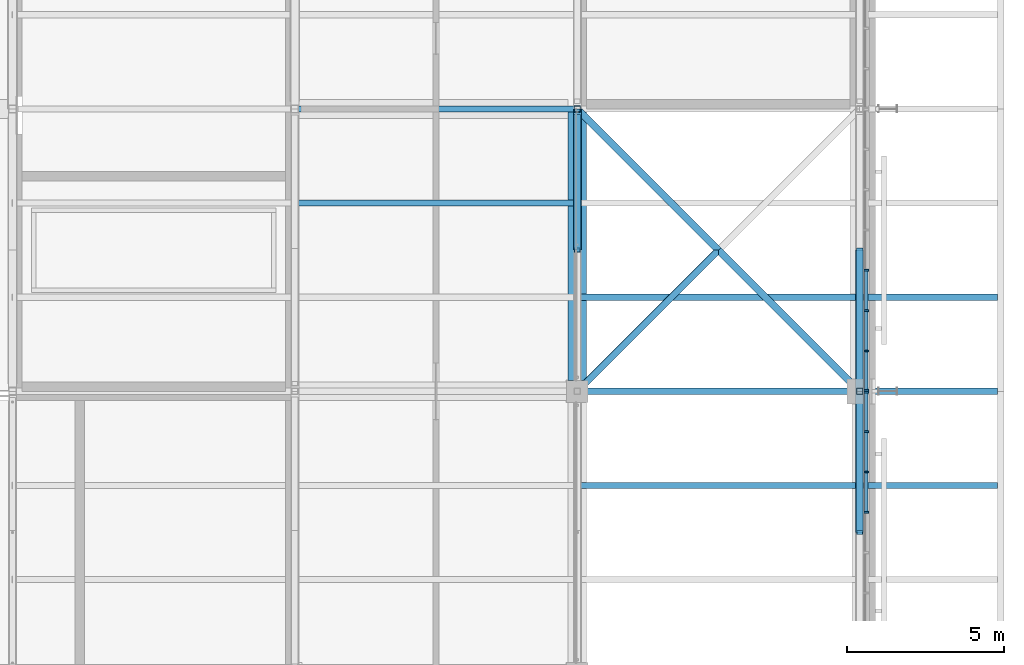
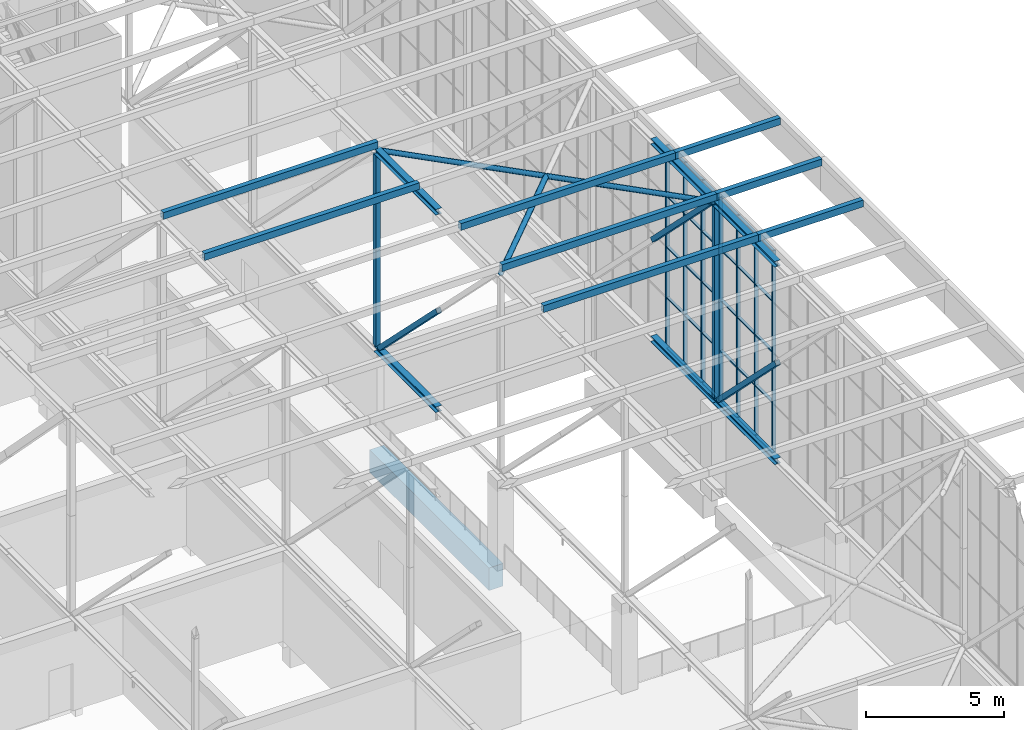
# One storey, part 92 of 646: 62 members, 1 beam, 2 elements without a shape of their own.
"""IFC4 building model written with IfcOpenShell, lengths in metres."""

from ifc_helpers import new_model, si_unit, direction, frame, origin, origin_2d, place, context, subcontext, project, spatial, rectangle, hollow_rectangle, hollow_circle, i_section, extrude, material, material_profile, profile_set, type_object, element, aggregate, save


model = new_model("IFC4")

# Units and contexts
model_context = context("Model", 3, precision=1e-05, world=origin(), true_north=direction((0.0, 1.0)))
body_context = subcontext(model_context, "Body", "Model", "MODEL_VIEW")
ifc_project = project(units=[si_unit("LENGTHUNIT", "METRE"), si_unit("AREAUNIT", "SQUARE_METRE"), si_unit("VOLUMEUNIT", "CUBIC_METRE"), si_unit("PLANEANGLEUNIT", "RADIAN"), si_unit("MASSUNIT", "GRAM", prefix="KILO")], contexts=[model_context])

# Site, building, storey
site_placement = place(None, origin())
site = spatial("IfcSite", under=ifc_project, at=site_placement, CompositionType="ELEMENT")
building_placement = place(site_placement, origin())
building = spatial("IfcBuilding", under=site, at=building_placement, Name="Silverbay Arena", CompositionType="ELEMENT")
storey_placement = place(building_placement, frame((0.0, 0.0, 33.5)))
storey = spatial("IfcBuildingStorey", under=building, at=storey_placement, Name="L05", CompositionType="ELEMENT", Elevation=33.5)

# Curtain wall, members
ifc_material_1 = material(Name="Aluminium framed glazing", Category="aluminium")
curtain_wall_type = type_object("IfcCurtainWallType", Name="Curtain wall clerestory 9000 x 9000", PredefinedType="NOTDEFINED", material=ifc_material_1)
curtain_wall_1_placement = place(storey_placement, origin())
curtain_wall_1 = element("IfcCurtainWall", 1, at=curtain_wall_1_placement, inside=storey, type_object=curtain_wall_type, Name="ROOF GABLE CLERESTORY CURTAIN WALL east bay 04", PredefinedType="NOTDEFINED")
ifc_material_2 = material(Name="Aluminium", Category="aluminium")
ifc_material_profile_1 = material_profile(ifc_material_2, rectangle(XDim=0.159912109375, YDim=0.06005859375, at=origin_2d()), Name="Mullion 60 x 160")
ifc_profile_set_1 = profile_set([ifc_material_profile_1], Name="Aluminium")
member_type_1 = type_object("IfcMemberType", Name="Mullion 60 x 160", PredefinedType="MULLION", material=ifc_profile_set_1)
member_1_placement = place(storey_placement, frame((207.2099609375, 41.142822265625, 4.0), z_axis=(0.0, 0.0, 1.0), x_axis=(-1.0, 0.0, 0.0)))
member_1 = element("IfcMember", 2, at=member_1_placement, type_object=member_type_1, Name="CW60 mullion 5", PredefinedType="MULLION", context=body_context, shape_type="SweptSolid", body=[
    extrude(rectangle(XDim=0.159912109375, YDim=0.06005859375, at=origin_2d()), origin(), (0.0, 0.0, 1.0), 9.0),
])
member_2_placement = place(storey_placement, frame((207.2099609375, 42.428466796875, 4.0), z_axis=(0.0, 0.0, 1.0), x_axis=(-1.0, 0.0, 0.0)))
member_2 = element("IfcMember", 3, at=member_2_placement, type_object=member_type_1, Name="CW60 mullion 6", PredefinedType="MULLION", context=body_context, shape_type="SweptSolid", body=[
    extrude(rectangle(XDim=0.159912109375, YDim=0.06005859375, at=origin_2d()), origin(), (0.0, 0.0, 1.0), 9.0),
])
member_3_placement = place(storey_placement, frame((207.2099609375, 43.71435546875, 4.0), z_axis=(0.0, 0.0, 1.0), x_axis=(-1.0, 0.0, 0.0)))
member_3 = element("IfcMember", 4, at=member_3_placement, type_object=member_type_1, Name="CW60 mullion 7", PredefinedType="MULLION", context=body_context, shape_type="SweptSolid", body=[
    extrude(rectangle(XDim=0.159912109375, YDim=0.06005859375, at=origin_2d()), origin(), (0.0, 0.0, 1.0), 9.0),
])
member_4_placement = place(storey_placement, frame((207.2099609375, 44.969970703125, 4.0), z_axis=(0.0, 0.0, 1.0), x_axis=(-1.0, 0.0, 0.0)))
member_4 = element("IfcMember", 5, at=member_4_placement, type_object=member_type_1, Name="CW60 mullion 8", PredefinedType="MULLION", context=body_context, shape_type="SweptSolid", body=[
    extrude(rectangle(XDim=0.159912109375, YDim=0.06005859375, at=origin_2d()), origin(), (0.0, 0.0, 1.0), 9.0),
])

curtain_wall_2_placement = place(storey_placement, origin())
curtain_wall_2 = element("IfcCurtainWall", 6, at=curtain_wall_2_placement, inside=storey, type_object=curtain_wall_type, Name="ROOF GABLE CLERESTORY CURTAIN WALL east bay 05", PredefinedType="NOTDEFINED")
member_5_placement = place(storey_placement, frame((207.2099609375, 45.030029296875, 4.0), z_axis=(0.0, 0.0, 1.0), x_axis=(-1.0, 0.0, 0.0)))
member_5 = element("IfcMember", 7, at=member_5_placement, type_object=member_type_1, Name="CW60 mullion 1", PredefinedType="MULLION", context=body_context, shape_type="SweptSolid", body=[
    extrude(rectangle(XDim=0.159912109375, YDim=0.06005859375, at=origin_2d()), origin(), (0.0, 0.0, 1.0), 9.0),
])
member_6_placement = place(storey_placement, frame((207.2099609375, 46.28564453125, 4.0), z_axis=(0.0, 0.0, 1.0), x_axis=(-1.0, 0.0, 0.0)))
member_6 = element("IfcMember", 8, at=member_6_placement, type_object=member_type_1, Name="CW60 mullion 2", PredefinedType="MULLION", context=body_context, shape_type="SweptSolid", body=[
    extrude(rectangle(XDim=0.159912109375, YDim=0.06005859375, at=origin_2d()), origin(), (0.0, 0.0, 1.0), 9.0),
])
member_7_placement = place(storey_placement, frame((207.2099609375, 47.571533203125, 4.0), z_axis=(0.0, 0.0, 1.0), x_axis=(-1.0, 0.0, 0.0)))
member_7 = element("IfcMember", 9, at=member_7_placement, type_object=member_type_1, Name="CW60 mullion 3", PredefinedType="MULLION", context=body_context, shape_type="SweptSolid", body=[
    extrude(rectangle(XDim=0.159912109375, YDim=0.06005859375, at=origin_2d()), origin(), (0.0, 0.0, 1.0), 9.0),
])
member_8_placement = place(storey_placement, frame((207.2099609375, 48.857177734375, 4.0), z_axis=(0.0, 0.0, 1.0), x_axis=(-1.0, 0.0, 0.0)))
member_8 = element("IfcMember", 10, at=member_8_placement, type_object=member_type_1, Name="CW60 mullion 4", PredefinedType="MULLION", context=body_context, shape_type="SweptSolid", body=[
    extrude(rectangle(XDim=0.159912109375, YDim=0.06005859375, at=origin_2d()), origin(), (0.0, 0.0, 1.0), 9.0),
])

# Members
ifc_material_3 = material(Name="Steel S355", Category="steel")
ifc_material_profile_2 = material_profile(ifc_material_3, hollow_circle(Radius=0.109619140625, WallThickness=0.00634765625, at=origin_2d()), Name="CHS 219.1x6.3")
ifc_profile_set_2 = profile_set([ifc_material_profile_2], Name="Steel S355")
member_type_2 = type_object("IfcMemberType", Name="Plan bracing CHS 219.1x6.3", PredefinedType="BRACE", material=ifc_profile_set_2)
for number, where, z_axis, x_axis, name in (
    (11, (198.0, 45.0, 12.873046875), (0.707106781187, 0.707106781187, 0.0), (-0.707106781187, 0.707106781187, 0.0), "ROOF BRACING top 23-24 panel 05 Aa"),
    (12, (198.0, 54.0, 12.873046875), (0.707106781187, -0.707106781187, 0.0), (0.707106781187, 0.707106781187, 0.0), "ROOF BRACING top 23-24 panel 05 Ba"),
    (13, (202.5, 49.5, 12.873046875), (0.707106781187, -0.707106781187, 0.0), (0.707106781187, 0.707106781187, 0.0), "ROOF BRACING top 23-24 panel 05 Bb"),
):
    element("IfcMember", number, at=place(storey_placement, frame(where, z_axis=z_axis, x_axis=x_axis)), inside=storey, type_object=member_type_2, Name=name, PredefinedType="BRACE", context=body_context, shape_type="SweptSolid", body=[
        extrude(hollow_circle(Radius=0.109619140625, WallThickness=0.00634765625, at=origin_2d()), origin(), (0.0, 0.0, 1.0), 6.364013671875),
    ])
ifc_material_4 = material(Name="Steel S355", Category="steel")
ifc_material_profile_3 = material_profile(ifc_material_4, hollow_rectangle(XDim=0.199951171875, YDim=0.300048828125, WallThickness=0.00634765625, at=origin_2d()), Name="RHS 300x200x6.3")
ifc_profile_set_3 = profile_set([ifc_material_profile_3], Name="Steel S355")
member_type_3 = type_object("IfcMemberType", Name="Purlin RHS 300x200x6.3", PredefinedType="PURLIN", material=ifc_profile_set_3)
for number, where, z_axis, x_axis, name in (
    (14, (189.0, 51.0, 13.14990234375), (1.0, 0.0, 0.0), (0.0, 1.0, 0.0), "ROOF PURLIN 22-23 line 15"),
    (15, (189.0, 54.0, 13.14990234375), (1.0, 0.0, 0.0), (0.0, 1.0, 0.0), "ROOF PURLIN 22-23 line 16"),
):
    element("IfcMember", number, at=place(storey_placement, frame(where, z_axis=z_axis, x_axis=x_axis)), inside=storey, type_object=member_type_3, Name=name, PredefinedType="PURLIN", context=body_context, shape_type="SweptSolid", body=[
        extrude(hollow_rectangle(XDim=0.199951171875, YDim=0.300048828125, WallThickness=0.00634765625, at=origin_2d()), origin(), (0.0, 0.0, 1.0), 9.0),
    ])
ifc_material_5 = material(Name="Steel S355", Category="steel")
ifc_material_profile_4 = material_profile(ifc_material_5, hollow_rectangle(XDim=0.199951171875, YDim=0.300048828125, WallThickness=0.008056640625, at=origin_2d()), Name="RHS 300x200x8")
ifc_profile_set_4 = profile_set([ifc_material_profile_4], Name="Steel S355")
member_type_4 = type_object("IfcMemberType", Name="Purlin RHS 300x200x8", PredefinedType="PURLIN", material=ifc_profile_set_4)
for number, where, z_axis, x_axis, name in (
    (16, (198.0, 42.0, 13.14990234375), (1.0, 0.0, 0.0), (0.0, 1.0, 0.0), "ROOF PURLIN 23-24 line 12"),
    (17, (198.0, 45.0, 13.14990234375), (1.0, 0.0, 0.0), (0.0, 1.0, 0.0), "ROOF PURLIN 23-24 line 13"),
    (18, (198.0, 48.0, 13.14990234375), (1.0, 0.0, 0.0), (0.0, 1.0, 0.0), "ROOF PURLIN 23-24 line 14"),
):
    element("IfcMember", number, at=place(storey_placement, frame(where, z_axis=z_axis, x_axis=x_axis)), inside=storey, type_object=member_type_4, Name=name, PredefinedType="PURLIN", context=body_context, shape_type="SweptSolid", body=[
        extrude(hollow_rectangle(XDim=0.199951171875, YDim=0.300048828125, WallThickness=0.008056640625, at=origin_2d()), origin(), (0.0, 0.0, 1.0), 9.0),
    ])
for number, where, z_axis, x_axis, name in (
    (19, (211.39990234375, 42.0, 13.14990234375), (-1.0, 0.0, 0.0), (0.0, -1.0, 0.0), "ROOF PURLIN east eave line 12"),
    (20, (211.39990234375, 45.0, 13.14990234375), (-1.0, 0.0, 0.0), (0.0, -1.0, 0.0), "ROOF PURLIN east eave line 13"),
    (21, (211.39990234375, 48.0, 13.14990234375), (-1.0, 0.0, 0.0), (0.0, -1.0, 0.0), "ROOF PURLIN east eave line 14"),
):
    element("IfcMember", number, at=place(storey_placement, frame(where, z_axis=z_axis, x_axis=x_axis)), inside=storey, type_object=member_type_4, Name=name, PredefinedType="PURLIN", context=body_context, shape_type="SweptSolid", body=[
        extrude(hollow_rectangle(XDim=0.199951171875, YDim=0.300048828125, WallThickness=0.008056640625, at=origin_2d()), origin(), (0.0, 0.0, 1.0), 4.39990234375),
    ])

# Beam
ifc_material_6 = material(Name="Concrete Grade C45", Category="concrete")
ifc_material_profile_5 = material_profile(ifc_material_6, rectangle(XDim=0.60009765625, YDim=1.0, at=origin_2d()), Name="RC 600x1000")
ifc_profile_set_5 = profile_set([ifc_material_profile_5], Name="Concrete Grade C45")
beam_type = type_object("IfcBeamType", Name="RC beam 600x1000", PredefinedType="BEAM", material=ifc_profile_set_5)
beam_placement = place(storey_placement, frame((198.0, 45.35009765625, -0.800048828125), z_axis=(0.0, 1.0, 0.0), x_axis=(-1.0, 0.0, 0.0)))
element("IfcBeam", 22, at=beam_placement, inside=storey, type_object=beam_type, Name="Floor beam L05 141", PredefinedType="BEAM", context=body_context, shape_type="SweptSolid", body=[
    extrude(rectangle(XDim=0.60009765625, YDim=1.0, at=origin_2d()), origin(), (0.0, 0.0, 1.0), 8.64990234375),
])

# Members
ifc_material_7 = material(Name="Steel S355", Category="steel")
ifc_material_profile_6 = material_profile(ifc_material_7, i_section(OverallWidth=0.254638671875, OverallDepth=0.254150390625, WebThickness=0.008544921875, FlangeThickness=0.01416015625, at=origin_2d()), Name="UC 254x254x73")
ifc_profile_set_6 = profile_set([ifc_material_profile_6], Name="Steel S355")
member_type_5 = type_object("IfcMemberType", Name="Short-span bottom chord UC 254x254x73", PredefinedType="CHORD", material=ifc_profile_set_6)
for number, where, z_axis, x_axis, name in (
    (23, (198.0, 49.5, 4.126953125), (0.0, 1.0, 0.0), (-1.0, 0.0, 0.0), "ROOF TRUSS 23 bottom chord 05b"),
    (24, (207.0, 40.5, 4.126953125), (0.0, 1.0, 0.0), (-1.0, 0.0, 0.0), "ROOF TRUSS 24 bottom chord 04b"),
    (25, (207.0, 45.0, 4.126953125), (0.0, 1.0, 0.0), (-1.0, 0.0, 0.0), "ROOF TRUSS 24 bottom chord 05a"),
):
    element("IfcMember", number, at=place(storey_placement, frame(where, z_axis=z_axis, x_axis=x_axis)), inside=storey, type_object=member_type_5, Name=name, PredefinedType="CHORD", context=body_context, shape_type="SweptSolid", body=[
        extrude(i_section(OverallWidth=0.254638671875, OverallDepth=0.254150390625, WebThickness=0.008544921875, FlangeThickness=0.01416015625, at=origin_2d()), origin(), (0.0, 0.0, 1.0), 4.5),
    ])
ifc_material_8 = material(Name="Steel S355", Category="steel")
ifc_material_profile_7 = material_profile(ifc_material_8, i_section(OverallWidth=0.254638671875, OverallDepth=0.254150390625, WebThickness=0.008544921875, FlangeThickness=0.01416015625, at=origin_2d()), Name="UC 254x254x73")
ifc_profile_set_7 = profile_set([ifc_material_profile_7], Name="Steel S355")
member_type_6 = type_object("IfcMemberType", Name="Short-span top chord UC 254x254x73", PredefinedType="CHORD", material=ifc_profile_set_7)
for number, where, z_axis, x_axis, name in (
    (26, (198.0, 49.5, 12.873046875), (0.0, 1.0, 0.0), (-1.0, 0.0, 0.0), "ROOF TRUSS 23 top chord 05b"),
    (27, (207.0, 40.5, 12.873046875), (0.0, 1.0, 0.0), (-1.0, 0.0, 0.0), "ROOF TRUSS 24 top chord 04b"),
    (28, (207.0, 45.0, 12.873046875), (0.0, 1.0, 0.0), (-1.0, 0.0, 0.0), "ROOF TRUSS 24 top chord 05a"),
):
    element("IfcMember", number, at=place(storey_placement, frame(where, z_axis=z_axis, x_axis=x_axis)), inside=storey, type_object=member_type_6, Name=name, PredefinedType="CHORD", context=body_context, shape_type="SweptSolid", body=[
        extrude(i_section(OverallWidth=0.254638671875, OverallDepth=0.254150390625, WebThickness=0.008544921875, FlangeThickness=0.01416015625, at=origin_2d()), origin(), (0.0, 0.0, 1.0), 4.5),
    ])
ifc_material_9 = material(Name="Steel S355", Category="steel")
ifc_material_profile_8 = material_profile(ifc_material_9, hollow_rectangle(XDim=0.199951171875, YDim=0.199951171875, WallThickness=0.008056640625, at=origin_2d()), Name="SHS 200x200x8")
ifc_profile_set_8 = profile_set([ifc_material_profile_8], Name="Steel S355")
member_type_7 = type_object("IfcMemberType", Name="Short-span truss diagonal SHS 200x200x8", PredefinedType="BRACE", material=ifc_profile_set_8)
for number, where, z_axis, x_axis, name in (
    (29, (198.0, 49.5, 8.5), (0.0, 0.70781724692, -0.706395600894), (-1.0, 0.0, 0.0), "ROOF TRUSS 23 diagonal 05b"),
    (30, (207.0, 40.5, 8.5), (0.0, 0.70781724692, -0.706395600894), (-1.0, 0.0, 0.0), "ROOF TRUSS 24 diagonal 04b"),
    (31, (207.0, 45.24560546875, 12.745849609375), (0.0, 0.70781724692, -0.706395600894), (-1.0, 0.0, 0.0), "ROOF TRUSS 24 diagonal 05a"),
):
    element("IfcMember", number, at=place(storey_placement, frame(where, z_axis=z_axis, x_axis=x_axis)), inside=storey, type_object=member_type_7, Name=name, PredefinedType="BRACE", context=body_context, shape_type="SweptSolid", body=[
        extrude(hollow_rectangle(XDim=0.199951171875, YDim=0.199951171875, WallThickness=0.008056640625, at=origin_2d()), origin(), (0.0, 0.0, 1.0), 6.010498046875),
    ])
ifc_material_10 = material(Name="Steel S355", Category="steel")
ifc_material_profile_9 = material_profile(ifc_material_10, hollow_rectangle(XDim=0.199951171875, YDim=0.199951171875, WallThickness=0.008056640625, at=origin_2d()), Name="SHS 200x200x8")
ifc_profile_set_9 = profile_set([ifc_material_profile_9], Name="Steel S355")
member_type_8 = type_object("IfcMemberType", Name="Short-span truss vertical SHS 200x200x8", PredefinedType="STRUT", material=ifc_profile_set_9)
for number, where, z_axis, x_axis, name in (
    (32, (198.0, 54.0, 4.254150390625), (0.0, 0.0, 1.0), (1.0, 0.0, 0.0), "ROOF TRUSS 23 vertical 06a"),
    (33, (198.0, 54.0, 8.5), (0.0, 0.0, 1.0), (1.0, 0.0, 0.0), "ROOF TRUSS 23 vertical 06b"),
    (34, (207.0, 45.0, 4.254150390625), (0.0, 0.0, 1.0), (1.0, 0.0, 0.0), "ROOF TRUSS 24 vertical 05a"),
    (35, (207.0, 45.0, 8.5), (0.0, 0.0, 1.0), (1.0, 0.0, 0.0), "ROOF TRUSS 24 vertical 05b"),
):
    element("IfcMember", number, at=place(storey_placement, frame(where, z_axis=z_axis, x_axis=x_axis)), inside=storey, type_object=member_type_8, Name=name, PredefinedType="STRUT", context=body_context, shape_type="SweptSolid", body=[
        extrude(hollow_rectangle(XDim=0.199951171875, YDim=0.199951171875, WallThickness=0.008056640625, at=origin_2d()), origin(), (0.0, 0.0, 1.0), 4.245849609375),
    ])

# Member
ifc_material_11 = material(Name="Aluminium", Category="aluminium")
ifc_material_profile_10 = material_profile(ifc_material_11, rectangle(XDim=0.1201171875, YDim=0.050048828125, at=origin_2d()), Name="Transom 50 x 120")
ifc_profile_set_10 = profile_set([ifc_material_profile_10], Name="Aluminium")
member_type_9 = type_object("IfcMemberType", Name="Transom 50 x 120", PredefinedType="USERDEFINED", material=ifc_profile_set_10)
member_9_placement = place(storey_placement, frame((207.2099609375, 41.1728515625, 4.02490234375), z_axis=(0.0, 1.0, 0.0), x_axis=(-1.0, 0.0, 0.0)))
member_9 = element("IfcMember", 36, at=member_9_placement, type_object=member_type_9, Name="CW60 transom 5.1", ObjectType="TRANSOM", PredefinedType="USERDEFINED", context=body_context, shape_type="SweptSolid", body=[
    extrude(rectangle(XDim=0.1201171875, YDim=0.050048828125, at=origin_2d()), origin(), (0.0, 0.0, 1.0), 1.225830078125),
])

member_10_placement = place(storey_placement, frame((207.2099609375, 41.1728515625, 6.25), z_axis=(0.0, 1.0, 0.0), x_axis=(-1.0, 0.0, 0.0)))
member_10 = element("IfcMember", 37, at=member_10_placement, type_object=member_type_9, Name="CW60 transom 5.2", ObjectType="TRANSOM", PredefinedType="USERDEFINED", context=body_context, shape_type="SweptSolid", body=[
    extrude(rectangle(XDim=0.1201171875, YDim=0.050048828125, at=origin_2d()), origin(), (0.0, 0.0, 1.0), 1.225830078125),
])

member_11_placement = place(storey_placement, frame((207.2099609375, 41.1728515625, 8.5), z_axis=(0.0, 1.0, 0.0), x_axis=(-1.0, 0.0, 0.0)))
member_11 = element("IfcMember", 38, at=member_11_placement, type_object=member_type_9, Name="CW60 transom 5.3", ObjectType="TRANSOM", PredefinedType="USERDEFINED", context=body_context, shape_type="SweptSolid", body=[
    extrude(rectangle(XDim=0.1201171875, YDim=0.050048828125, at=origin_2d()), origin(), (0.0, 0.0, 1.0), 1.225830078125),
])

member_12_placement = place(storey_placement, frame((207.2099609375, 41.1728515625, 10.75), z_axis=(0.0, 1.0, 0.0), x_axis=(-1.0, 0.0, 0.0)))
member_12 = element("IfcMember", 39, at=member_12_placement, type_object=member_type_9, Name="CW60 transom 5.4", ObjectType="TRANSOM", PredefinedType="USERDEFINED", context=body_context, shape_type="SweptSolid", body=[
    extrude(rectangle(XDim=0.1201171875, YDim=0.050048828125, at=origin_2d()), origin(), (0.0, 0.0, 1.0), 1.225830078125),
])

member_13_placement = place(storey_placement, frame((207.2099609375, 41.1728515625, 12.97509765625), z_axis=(0.0, 1.0, 0.0), x_axis=(-1.0, 0.0, 0.0)))
member_13 = element("IfcMember", 40, at=member_13_placement, type_object=member_type_9, Name="CW60 transom 5.5", ObjectType="TRANSOM", PredefinedType="USERDEFINED", context=body_context, shape_type="SweptSolid", body=[
    extrude(rectangle(XDim=0.1201171875, YDim=0.050048828125, at=origin_2d()), origin(), (0.0, 0.0, 1.0), 1.225830078125),
])

member_14_placement = place(storey_placement, frame((207.2099609375, 42.45849609375, 4.02490234375), z_axis=(0.0, 1.0, 0.0), x_axis=(-1.0, 0.0, 0.0)))
member_14 = element("IfcMember", 41, at=member_14_placement, type_object=member_type_9, Name="CW60 transom 6.1", ObjectType="TRANSOM", PredefinedType="USERDEFINED", context=body_context, shape_type="SweptSolid", body=[
    extrude(rectangle(XDim=0.1201171875, YDim=0.050048828125, at=origin_2d()), origin(), (0.0, 0.0, 1.0), 1.225830078125),
])

member_15_placement = place(storey_placement, frame((207.2099609375, 42.45849609375, 6.25), z_axis=(0.0, 1.0, 0.0), x_axis=(-1.0, 0.0, 0.0)))
member_15 = element("IfcMember", 42, at=member_15_placement, type_object=member_type_9, Name="CW60 transom 6.2", ObjectType="TRANSOM", PredefinedType="USERDEFINED", context=body_context, shape_type="SweptSolid", body=[
    extrude(rectangle(XDim=0.1201171875, YDim=0.050048828125, at=origin_2d()), origin(), (0.0, 0.0, 1.0), 1.225830078125),
])

member_16_placement = place(storey_placement, frame((207.2099609375, 42.45849609375, 8.5), z_axis=(0.0, 1.0, 0.0), x_axis=(-1.0, 0.0, 0.0)))
member_16 = element("IfcMember", 43, at=member_16_placement, type_object=member_type_9, Name="CW60 transom 6.3", ObjectType="TRANSOM", PredefinedType="USERDEFINED", context=body_context, shape_type="SweptSolid", body=[
    extrude(rectangle(XDim=0.1201171875, YDim=0.050048828125, at=origin_2d()), origin(), (0.0, 0.0, 1.0), 1.225830078125),
])

member_17_placement = place(storey_placement, frame((207.2099609375, 42.45849609375, 10.75), z_axis=(0.0, 1.0, 0.0), x_axis=(-1.0, 0.0, 0.0)))
member_17 = element("IfcMember", 44, at=member_17_placement, type_object=member_type_9, Name="CW60 transom 6.4", ObjectType="TRANSOM", PredefinedType="USERDEFINED", context=body_context, shape_type="SweptSolid", body=[
    extrude(rectangle(XDim=0.1201171875, YDim=0.050048828125, at=origin_2d()), origin(), (0.0, 0.0, 1.0), 1.225830078125),
])

member_18_placement = place(storey_placement, frame((207.2099609375, 42.45849609375, 12.97509765625), z_axis=(0.0, 1.0, 0.0), x_axis=(-1.0, 0.0, 0.0)))
member_18 = element("IfcMember", 45, at=member_18_placement, type_object=member_type_9, Name="CW60 transom 6.5", ObjectType="TRANSOM", PredefinedType="USERDEFINED", context=body_context, shape_type="SweptSolid", body=[
    extrude(rectangle(XDim=0.1201171875, YDim=0.050048828125, at=origin_2d()), origin(), (0.0, 0.0, 1.0), 1.225830078125),
])

member_19_placement = place(storey_placement, frame((207.2099609375, 43.744384765625, 4.02490234375), z_axis=(0.0, 1.0, 0.0), x_axis=(-1.0, 0.0, 0.0)))
member_19 = element("IfcMember", 46, at=member_19_placement, type_object=member_type_9, Name="CW60 transom 7.1", ObjectType="TRANSOM", PredefinedType="USERDEFINED", context=body_context, shape_type="SweptSolid", body=[
    extrude(rectangle(XDim=0.1201171875, YDim=0.050048828125, at=origin_2d()), origin(), (0.0, 0.0, 1.0), 1.195556640625),
])

member_20_placement = place(storey_placement, frame((207.2099609375, 43.744384765625, 6.25), z_axis=(0.0, 1.0, 0.0), x_axis=(-1.0, 0.0, 0.0)))
member_20 = element("IfcMember", 47, at=member_20_placement, type_object=member_type_9, Name="CW60 transom 7.2", ObjectType="TRANSOM", PredefinedType="USERDEFINED", context=body_context, shape_type="SweptSolid", body=[
    extrude(rectangle(XDim=0.1201171875, YDim=0.050048828125, at=origin_2d()), origin(), (0.0, 0.0, 1.0), 1.195556640625),
])

member_21_placement = place(storey_placement, frame((207.2099609375, 43.744384765625, 8.5), z_axis=(0.0, 1.0, 0.0), x_axis=(-1.0, 0.0, 0.0)))
member_21 = element("IfcMember", 48, at=member_21_placement, type_object=member_type_9, Name="CW60 transom 7.3", ObjectType="TRANSOM", PredefinedType="USERDEFINED", context=body_context, shape_type="SweptSolid", body=[
    extrude(rectangle(XDim=0.1201171875, YDim=0.050048828125, at=origin_2d()), origin(), (0.0, 0.0, 1.0), 1.195556640625),
])

member_22_placement = place(storey_placement, frame((207.2099609375, 43.744384765625, 10.75), z_axis=(0.0, 1.0, 0.0), x_axis=(-1.0, 0.0, 0.0)))
member_22 = element("IfcMember", 49, at=member_22_placement, type_object=member_type_9, Name="CW60 transom 7.4", ObjectType="TRANSOM", PredefinedType="USERDEFINED", context=body_context, shape_type="SweptSolid", body=[
    extrude(rectangle(XDim=0.1201171875, YDim=0.050048828125, at=origin_2d()), origin(), (0.0, 0.0, 1.0), 1.195556640625),
])

member_23_placement = place(storey_placement, frame((207.2099609375, 43.744384765625, 12.97509765625), z_axis=(0.0, 1.0, 0.0), x_axis=(-1.0, 0.0, 0.0)))
member_23 = element("IfcMember", 50, at=member_23_placement, type_object=member_type_9, Name="CW60 transom 7.5", ObjectType="TRANSOM", PredefinedType="USERDEFINED", context=body_context, shape_type="SweptSolid", body=[
    extrude(rectangle(XDim=0.1201171875, YDim=0.050048828125, at=origin_2d()), origin(), (0.0, 0.0, 1.0), 1.195556640625),
])

aggregate(curtain_wall_1, [member_1, member_2, member_3, member_4, member_9, member_10, member_11, member_12, member_13, member_14, member_15, member_16, member_17, member_18, member_19, member_20, member_21, member_22, member_23])

member_24_placement = place(storey_placement, frame((207.2099609375, 45.06005859375, 4.02490234375), z_axis=(0.0, 1.0, 0.0), x_axis=(-1.0, 0.0, 0.0)))
member_24 = element("IfcMember", 51, at=member_24_placement, type_object=member_type_9, Name="CW60 transom 1.1", ObjectType="TRANSOM", PredefinedType="USERDEFINED", context=body_context, shape_type="SweptSolid", body=[
    extrude(rectangle(XDim=0.1201171875, YDim=0.050048828125, at=origin_2d()), origin(), (0.0, 0.0, 1.0), 1.195556640625),
])

member_25_placement = place(storey_placement, frame((207.2099609375, 45.06005859375, 6.25), z_axis=(0.0, 1.0, 0.0), x_axis=(-1.0, 0.0, 0.0)))
member_25 = element("IfcMember", 52, at=member_25_placement, type_object=member_type_9, Name="CW60 transom 1.2", ObjectType="TRANSOM", PredefinedType="USERDEFINED", context=body_context, shape_type="SweptSolid", body=[
    extrude(rectangle(XDim=0.1201171875, YDim=0.050048828125, at=origin_2d()), origin(), (0.0, 0.0, 1.0), 1.195556640625),
])

member_26_placement = place(storey_placement, frame((207.2099609375, 45.06005859375, 8.5), z_axis=(0.0, 1.0, 0.0), x_axis=(-1.0, 0.0, 0.0)))
member_26 = element("IfcMember", 53, at=member_26_placement, type_object=member_type_9, Name="CW60 transom 1.3", ObjectType="TRANSOM", PredefinedType="USERDEFINED", context=body_context, shape_type="SweptSolid", body=[
    extrude(rectangle(XDim=0.1201171875, YDim=0.050048828125, at=origin_2d()), origin(), (0.0, 0.0, 1.0), 1.195556640625),
])

member_27_placement = place(storey_placement, frame((207.2099609375, 45.06005859375, 10.75), z_axis=(0.0, 1.0, 0.0), x_axis=(-1.0, 0.0, 0.0)))
member_27 = element("IfcMember", 54, at=member_27_placement, type_object=member_type_9, Name="CW60 transom 1.4", ObjectType="TRANSOM", PredefinedType="USERDEFINED", context=body_context, shape_type="SweptSolid", body=[
    extrude(rectangle(XDim=0.1201171875, YDim=0.050048828125, at=origin_2d()), origin(), (0.0, 0.0, 1.0), 1.195556640625),
])

member_28_placement = place(storey_placement, frame((207.2099609375, 45.06005859375, 12.97509765625), z_axis=(0.0, 1.0, 0.0), x_axis=(-1.0, 0.0, 0.0)))
member_28 = element("IfcMember", 55, at=member_28_placement, type_object=member_type_9, Name="CW60 transom 1.5", ObjectType="TRANSOM", PredefinedType="USERDEFINED", context=body_context, shape_type="SweptSolid", body=[
    extrude(rectangle(XDim=0.1201171875, YDim=0.050048828125, at=origin_2d()), origin(), (0.0, 0.0, 1.0), 1.195556640625),
])

member_29_placement = place(storey_placement, frame((207.2099609375, 46.315673828125, 4.02490234375), z_axis=(0.0, 1.0, 0.0), x_axis=(-1.0, 0.0, 0.0)))
member_29 = element("IfcMember", 56, at=member_29_placement, type_object=member_type_9, Name="CW60 transom 2.1", ObjectType="TRANSOM", PredefinedType="USERDEFINED", context=body_context, shape_type="SweptSolid", body=[
    extrude(rectangle(XDim=0.1201171875, YDim=0.050048828125, at=origin_2d()), origin(), (0.0, 0.0, 1.0), 1.225830078125),
])

member_30_placement = place(storey_placement, frame((207.2099609375, 46.315673828125, 6.25), z_axis=(0.0, 1.0, 0.0), x_axis=(-1.0, 0.0, 0.0)))
member_30 = element("IfcMember", 57, at=member_30_placement, type_object=member_type_9, Name="CW60 transom 2.2", ObjectType="TRANSOM", PredefinedType="USERDEFINED", context=body_context, shape_type="SweptSolid", body=[
    extrude(rectangle(XDim=0.1201171875, YDim=0.050048828125, at=origin_2d()), origin(), (0.0, 0.0, 1.0), 1.225830078125),
])

member_31_placement = place(storey_placement, frame((207.2099609375, 46.315673828125, 8.5), z_axis=(0.0, 1.0, 0.0), x_axis=(-1.0, 0.0, 0.0)))
member_31 = element("IfcMember", 58, at=member_31_placement, type_object=member_type_9, Name="CW60 transom 2.3", ObjectType="TRANSOM", PredefinedType="USERDEFINED", context=body_context, shape_type="SweptSolid", body=[
    extrude(rectangle(XDim=0.1201171875, YDim=0.050048828125, at=origin_2d()), origin(), (0.0, 0.0, 1.0), 1.225830078125),
])

member_32_placement = place(storey_placement, frame((207.2099609375, 46.315673828125, 10.75), z_axis=(0.0, 1.0, 0.0), x_axis=(-1.0, 0.0, 0.0)))
member_32 = element("IfcMember", 59, at=member_32_placement, type_object=member_type_9, Name="CW60 transom 2.4", ObjectType="TRANSOM", PredefinedType="USERDEFINED", context=body_context, shape_type="SweptSolid", body=[
    extrude(rectangle(XDim=0.1201171875, YDim=0.050048828125, at=origin_2d()), origin(), (0.0, 0.0, 1.0), 1.225830078125),
])

member_33_placement = place(storey_placement, frame((207.2099609375, 46.315673828125, 12.97509765625), z_axis=(0.0, 1.0, 0.0), x_axis=(-1.0, 0.0, 0.0)))
member_33 = element("IfcMember", 60, at=member_33_placement, type_object=member_type_9, Name="CW60 transom 2.5", ObjectType="TRANSOM", PredefinedType="USERDEFINED", context=body_context, shape_type="SweptSolid", body=[
    extrude(rectangle(XDim=0.1201171875, YDim=0.050048828125, at=origin_2d()), origin(), (0.0, 0.0, 1.0), 1.225830078125),
])

member_34_placement = place(storey_placement, frame((207.2099609375, 47.601318359375, 4.02490234375), z_axis=(0.0, 1.0, 0.0), x_axis=(-1.0, 0.0, 0.0)))
member_34 = element("IfcMember", 61, at=member_34_placement, type_object=member_type_9, Name="CW60 transom 3.1", ObjectType="TRANSOM", PredefinedType="USERDEFINED", context=body_context, shape_type="SweptSolid", body=[
    extrude(rectangle(XDim=0.1201171875, YDim=0.050048828125, at=origin_2d()), origin(), (0.0, 0.0, 1.0), 1.225830078125),
])

member_35_placement = place(storey_placement, frame((207.2099609375, 47.601318359375, 6.25), z_axis=(0.0, 1.0, 0.0), x_axis=(-1.0, 0.0, 0.0)))
member_35 = element("IfcMember", 62, at=member_35_placement, type_object=member_type_9, Name="CW60 transom 3.2", ObjectType="TRANSOM", PredefinedType="USERDEFINED", context=body_context, shape_type="SweptSolid", body=[
    extrude(rectangle(XDim=0.1201171875, YDim=0.050048828125, at=origin_2d()), origin(), (0.0, 0.0, 1.0), 1.225830078125),
])

member_36_placement = place(storey_placement, frame((207.2099609375, 47.601318359375, 8.5), z_axis=(0.0, 1.0, 0.0), x_axis=(-1.0, 0.0, 0.0)))
member_36 = element("IfcMember", 63, at=member_36_placement, type_object=member_type_9, Name="CW60 transom 3.3", ObjectType="TRANSOM", PredefinedType="USERDEFINED", context=body_context, shape_type="SweptSolid", body=[
    extrude(rectangle(XDim=0.1201171875, YDim=0.050048828125, at=origin_2d()), origin(), (0.0, 0.0, 1.0), 1.225830078125),
])

member_37_placement = place(storey_placement, frame((207.2099609375, 47.601318359375, 10.75), z_axis=(0.0, 1.0, 0.0), x_axis=(-1.0, 0.0, 0.0)))
member_37 = element("IfcMember", 64, at=member_37_placement, type_object=member_type_9, Name="CW60 transom 3.4", ObjectType="TRANSOM", PredefinedType="USERDEFINED", context=body_context, shape_type="SweptSolid", body=[
    extrude(rectangle(XDim=0.1201171875, YDim=0.050048828125, at=origin_2d()), origin(), (0.0, 0.0, 1.0), 1.225830078125),
])

member_38_placement = place(storey_placement, frame((207.2099609375, 47.601318359375, 12.97509765625), z_axis=(0.0, 1.0, 0.0), x_axis=(-1.0, 0.0, 0.0)))
member_38 = element("IfcMember", 65, at=member_38_placement, type_object=member_type_9, Name="CW60 transom 3.5", ObjectType="TRANSOM", PredefinedType="USERDEFINED", context=body_context, shape_type="SweptSolid", body=[
    extrude(rectangle(XDim=0.1201171875, YDim=0.050048828125, at=origin_2d()), origin(), (0.0, 0.0, 1.0), 1.225830078125),
])

aggregate(curtain_wall_2, [member_5, member_6, member_7, member_8, member_24, member_25, member_26, member_27, member_28, member_29, member_30, member_31, member_32, member_33, member_34, member_35, member_36, member_37, member_38])

save(model, "model.ifc")
